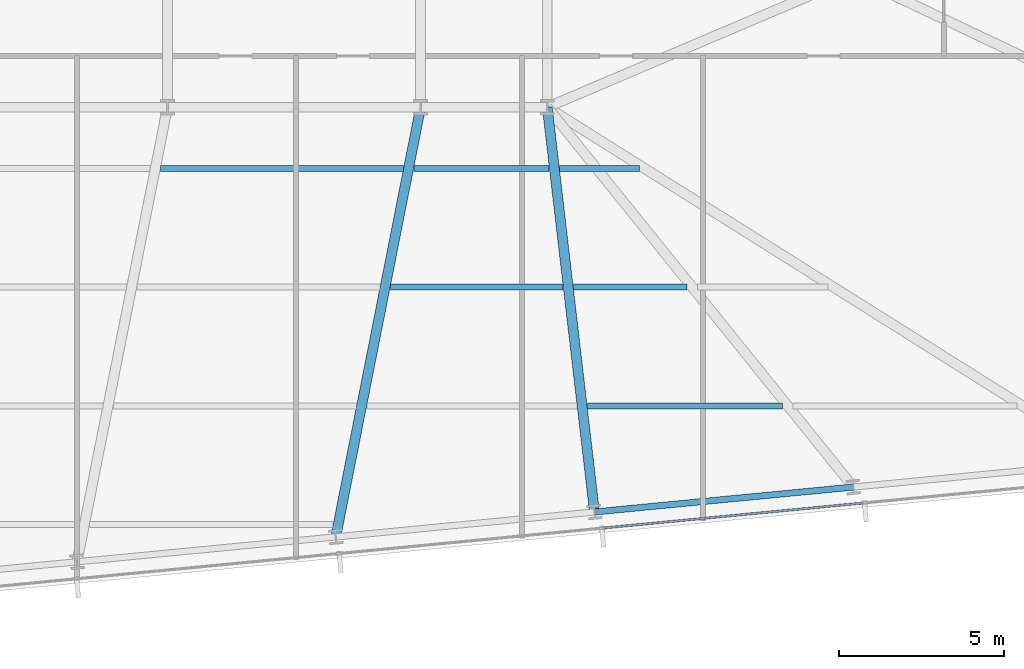
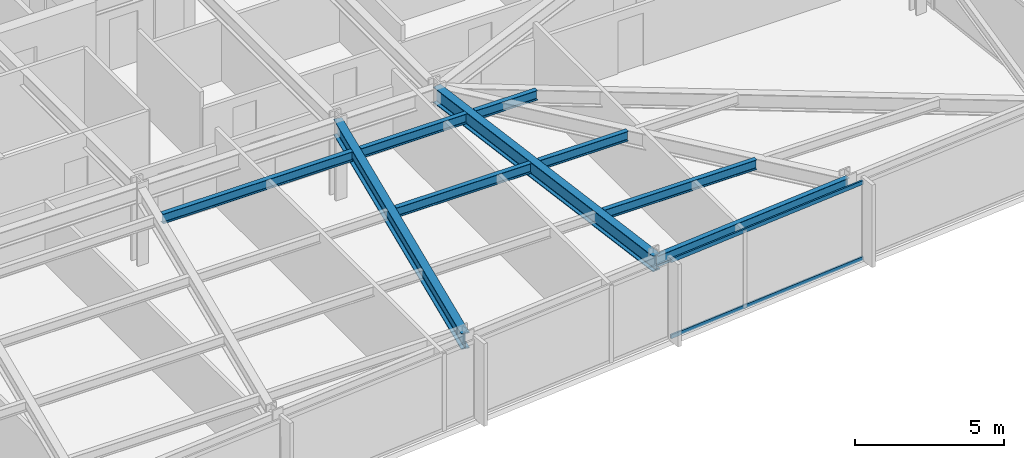
# One storey, part 11 of 33: 9 beams, 2 members, 1 element without a shape of its own.
"""IFC4 building model written with IfcOpenShell, lengths in metres."""

from ifc_helpers import new_model, si_unit, direction, frame, origin, origin_2d, place, context, subcontext, project, spatial, hollow_rectangle, i_section, extrude, material, material_profile, profile_set, type_object, element, aggregate, save


model = new_model("IFC4")

# Units and contexts
model_context = context("Model", 3, precision=1e-05, world=origin(), true_north=direction((0.0, 1.0)))
body_context = subcontext(model_context, "Body", "Model", "MODEL_VIEW")
ifc_project = project(units=[si_unit("LENGTHUNIT", "METRE"), si_unit("AREAUNIT", "SQUARE_METRE"), si_unit("VOLUMEUNIT", "CUBIC_METRE"), si_unit("PLANEANGLEUNIT", "RADIAN"), si_unit("MASSUNIT", "GRAM", prefix="KILO")], contexts=[model_context])

# Site, building, storey
site_placement = place(None, origin())
site = spatial("IfcSite", under=ifc_project, at=site_placement, CompositionType="ELEMENT")
building_placement = place(site_placement, origin())
building = spatial("IfcBuilding", under=site, at=building_placement, Name="Yelkora Congress Tower", CompositionType="ELEMENT")
storey_placement = place(building_placement, frame((0.0, 0.0, 110.10009765625)))
storey = spatial("IfcBuildingStorey", under=building, at=storey_placement, Name="L29", CompositionType="ELEMENT", Elevation=110.10009765625)

# Beams
ifc_material_1 = material(Name="Steel S355J2", Category="steel")
ifc_material_profile_1 = material_profile(ifc_material_1, i_section(OverallWidth=0.300048828125, OverallDepth=0.64990234375, WebThickness=0.01611328125, FlangeThickness=0.031005859375, FilletRadius=0.027099609375, at=origin_2d()), Name="HEB 650")
ifc_profile_set_1 = profile_set([ifc_material_profile_1], Name="Steel S355J2")
beam_type_1 = type_object("IfcBeamType", Name="BM-GIRD-HEB650", PredefinedType="BEAM", material=ifc_profile_set_1)
beam_1_placement = place(storey_placement, frame((51.18359375, 12.16748046875, 2.85498046875), z_axis=(0.193938615251, 0.981013666324, 0.0), x_axis=(-0.981013666324, 0.193938615251, 0.0)))
element("IfcBeam", 1, at=beam_1_placement, inside=storey, type_object=beam_type_1, Name="L29 Primary Frame Girder S05", PredefinedType="BEAM", context=body_context, shape_type="SweptSolid", body=[
    extrude(i_section(OverallWidth=0.300048828125, OverallDepth=0.64990234375, WebThickness=0.01611328125, FlangeThickness=0.031005859375, FilletRadius=0.027099609375, at=origin_2d()), origin(), (0.0, 0.0, 1.0), 13.28466796875),
])
beam_2_placement = place(storey_placement, frame((59.033203125, 12.92333984375, 2.85498046875), z_axis=(-0.115947280821, 0.993255369011, 0.0), x_axis=(-0.993255369011, -0.115947280821, 0.0)))
element("IfcBeam", 2, at=beam_2_placement, inside=storey, type_object=beam_type_1, Name="L29 Primary Frame Girder S06", PredefinedType="BEAM", context=body_context, shape_type="SweptSolid", body=[
    extrude(i_section(OverallWidth=0.300048828125, OverallDepth=0.64990234375, WebThickness=0.01611328125, FlangeThickness=0.031005859375, FilletRadius=0.027099609375, at=origin_2d()), origin(), (0.0, 0.0, 1.0), 12.35986328125),
])
ifc_material_profile_2 = material_profile(ifc_material_1, i_section(OverallWidth=0.179931640625, OverallDepth=0.39990234375, WebThickness=0.008544921875, FlangeThickness=0.013427734375, FilletRadius=0.02099609375, at=origin_2d()), Name="IPE 400")
ifc_profile_set_2 = profile_set([ifc_material_profile_2], Name="Steel S355J2")
beam_type_2 = type_object("IfcBeamType", Name="BM-JOIST-IPE400", PredefinedType="JOIST", material=ifc_profile_set_2)
beam_3_placement = place(storey_placement, frame((58.817138671875, 16.144287109375, 2.97998046875), z_axis=(1.0, 0.0, 0.0), x_axis=(0.0, 1.0, 0.0)))
element("IfcBeam", 3, at=beam_3_placement, inside=storey, type_object=beam_type_2, Name="L29 Composite Floor Joist 9", PredefinedType="JOIST", context=body_context, shape_type="SweptSolid", body=[
    extrude(i_section(OverallWidth=0.179931640625, OverallDepth=0.39990234375, WebThickness=0.008544921875, FlangeThickness=0.013427734375, FilletRadius=0.02099609375, at=origin_2d()), origin(), (0.0, 0.0, 1.0), 5.919189453125),
])
beam_4_placement = place(storey_placement, frame((52.841552734375, 19.744384765625, 2.97998046875), z_axis=(1.0, 0.0, 0.0), x_axis=(0.0, 1.0, 0.0)))
element("IfcBeam", 4, at=beam_4_placement, inside=storey, type_object=beam_type_2, Name="L29 Composite Floor Joist 15", PredefinedType="JOIST", context=body_context, shape_type="SweptSolid", body=[
    extrude(i_section(OverallWidth=0.179931640625, OverallDepth=0.39990234375, WebThickness=0.008544921875, FlangeThickness=0.013427734375, FilletRadius=0.02099609375, at=origin_2d()), origin(), (0.0, 0.0, 1.0), 5.2353515625),
])
beam_5_placement = place(storey_placement, frame((58.39697265625, 19.744384765625, 2.97998046875), z_axis=(1.0, 0.0, 0.0), x_axis=(0.0, 1.0, 0.0)))
element("IfcBeam", 5, at=beam_5_placement, inside=storey, type_object=beam_type_2, Name="L29 Composite Floor Joist 16", PredefinedType="JOIST", context=body_context, shape_type="SweptSolid", body=[
    extrude(i_section(OverallWidth=0.179931640625, OverallDepth=0.39990234375, WebThickness=0.008544921875, FlangeThickness=0.013427734375, FilletRadius=0.02099609375, at=origin_2d()), origin(), (0.0, 0.0, 1.0), 3.438720703125),
])
beam_6_placement = place(storey_placement, frame((45.87060546875, 23.344482421875, 2.97998046875), z_axis=(1.0, 0.0, 0.0), x_axis=(0.0, 1.0, 0.0)))
element("IfcBeam", 6, at=beam_6_placement, inside=storey, type_object=beam_type_2, Name="L29 Composite Floor Joist 21", PredefinedType="JOIST", context=body_context, shape_type="SweptSolid", body=[
    extrude(i_section(OverallWidth=0.179931640625, OverallDepth=0.39990234375, WebThickness=0.008544921875, FlangeThickness=0.013427734375, FilletRadius=0.02099609375, at=origin_2d()), origin(), (0.0, 0.0, 1.0), 7.362548828125),
])
beam_7_placement = place(storey_placement, frame((53.55322265625, 23.344482421875, 2.97998046875), z_axis=(1.0, 0.0, 0.0), x_axis=(0.0, 1.0, 0.0)))
element("IfcBeam", 7, at=beam_7_placement, inside=storey, type_object=beam_type_2, Name="L29 Composite Floor Joist 22", PredefinedType="JOIST", context=body_context, shape_type="SweptSolid", body=[
    extrude(i_section(OverallWidth=0.179931640625, OverallDepth=0.39990234375, WebThickness=0.008544921875, FlangeThickness=0.013427734375, FilletRadius=0.02099609375, at=origin_2d()), origin(), (0.0, 0.0, 1.0), 4.103271484375),
])
beam_8_placement = place(storey_placement, frame((57.9765625, 23.344482421875, 2.97998046875), z_axis=(1.0, 0.0, 0.0), x_axis=(0.0, 1.0, 0.0)))
element("IfcBeam", 8, at=beam_8_placement, inside=storey, type_object=beam_type_2, Name="L29 Composite Floor Joist 23", PredefinedType="JOIST", context=body_context, shape_type="SweptSolid", body=[
    extrude(i_section(OverallWidth=0.179931640625, OverallDepth=0.39990234375, WebThickness=0.008544921875, FlangeThickness=0.013427734375, FilletRadius=0.02099609375, at=origin_2d()), origin(), (0.0, 0.0, 1.0), 2.41650390625),
])
ifc_material_profile_3 = material_profile(ifc_material_1, i_section(OverallWidth=0.18994140625, OverallDepth=0.449951171875, WebThickness=0.009521484375, FlangeThickness=0.0146484375, FilletRadius=0.02099609375, at=origin_2d()), Name="IPE 450")
ifc_profile_set_3 = profile_set([ifc_material_profile_3], Name="Steel S355J2")
beam_type_3 = type_object("IfcBeamType", Name="BM-SPAN-IPE450", PredefinedType="SPANDREL", material=ifc_profile_set_3)
beam_9_placement = place(storey_placement, frame((59.033203125, 12.92333984375, 2.954833984375), z_axis=(0.995395575667, 0.095852219286, 0.0), x_axis=(-0.095852219286, 0.995395575667, 0.0)))
element("IfcBeam", 9, at=beam_9_placement, inside=storey, type_object=beam_type_3, Name="L29 Perimeter Beam 8", PredefinedType="SPANDREL", context=body_context, shape_type="SweptSolid", body=[
    extrude(i_section(OverallWidth=0.18994140625, OverallDepth=0.449951171875, WebThickness=0.009521484375, FlangeThickness=0.0146484375, FilletRadius=0.02099609375, at=origin_2d()), origin(), (0.0, 0.0, 1.0), 7.8857421875),
])

# Curtain wall, members
ifc_material_2 = material(Name="Anodised aluminium and insulated glass", Category="aluminium")
curtain_wall_type = type_object("IfcCurtainWallType", Name="CW-SYS-B2", PredefinedType="NOTDEFINED", material=ifc_material_2)
curtain_wall_placement = place(storey_placement, origin())
curtain_wall = element("IfcCurtainWall", 10, at=curtain_wall_placement, inside=storey, type_object=curtain_wall_type, Name="L29 Unitised Curtain Wall 20", PredefinedType="NOTDEFINED")
ifc_material_3 = material(Name="Anodised aluminium 6063-T6", Category="aluminium")
ifc_material_profile_4 = material_profile(ifc_material_3, hollow_rectangle(XDim=0.06494140625, YDim=0.159912109375, WallThickness=0.00390625, at=origin_2d()), Name="ALU 65x160x4")
ifc_profile_set_4 = profile_set([ifc_material_profile_4], Name="Anodised aluminium 6063-T6")
member_type = type_object("IfcMemberType", Name="MEM-TR-B2", PredefinedType="USERDEFINED", material=ifc_profile_set_4)
member_1_placement = place(storey_placement, frame((67.18798828125, 13.1962890625, 0.032470703125), z_axis=(-0.995397293396, -0.095834379534, 0.0), x_axis=(0.095834379534, -0.995397293396, 0.0)))
member_1 = element("IfcMember", 11, at=member_1_placement, type_object=member_type, Name="CW-B2 transom 2.1", ObjectType="TRANSOM", PredefinedType="USERDEFINED", context=body_context, shape_type="SweptSolid", body=[
    extrude(hollow_rectangle(XDim=0.06494140625, YDim=0.159912109375, WallThickness=0.00390625, at=origin_2d()), origin(), (0.0, 0.0, 1.0), 7.93310546875),
])
member_2_placement = place(storey_placement, frame((67.18798828125, 13.1962890625, 3.1474609375), z_axis=(-0.995397293396, -0.095834379534, 0.0), x_axis=(0.095834379534, -0.995397293396, 0.0)))
member_2 = element("IfcMember", 12, at=member_2_placement, type_object=member_type, Name="CW-B2 transom 2.2", ObjectType="TRANSOM", PredefinedType="USERDEFINED", context=body_context, shape_type="SweptSolid", body=[
    extrude(hollow_rectangle(XDim=0.06494140625, YDim=0.159912109375, WallThickness=0.00390625, at=origin_2d()), origin(), (0.0, 0.0, 1.0), 7.93310546875),
])
aggregate(curtain_wall, [member_1, member_2])

save(model, "model.ifc")
